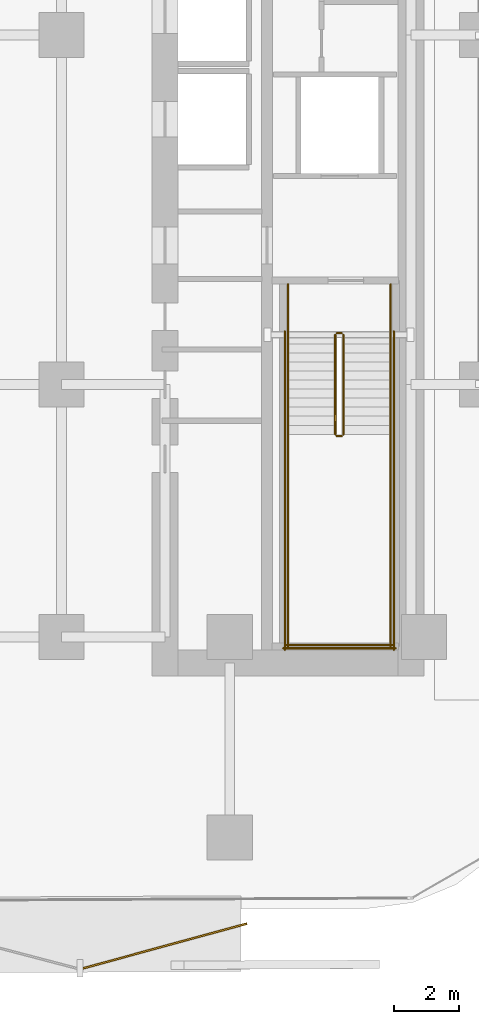
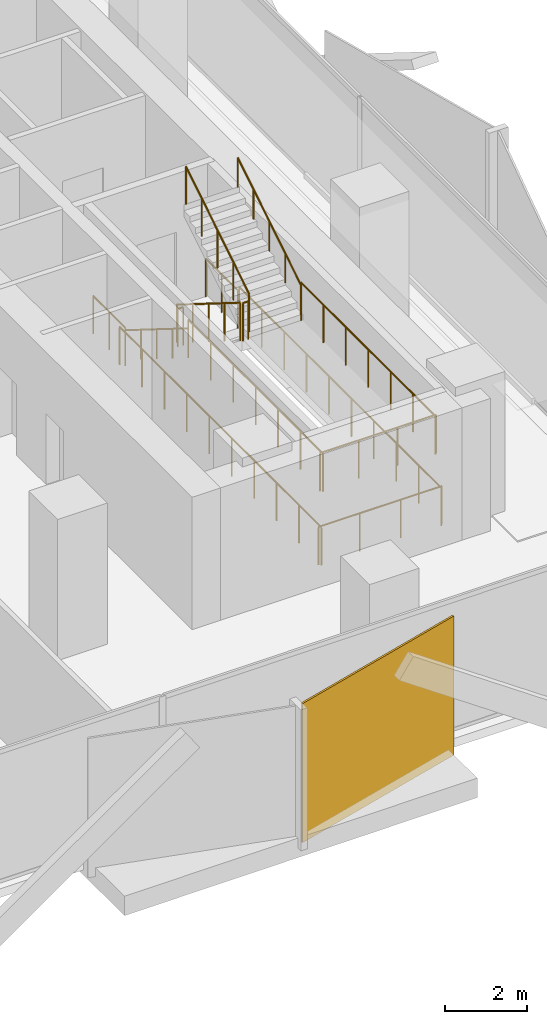
# One storey, part 13 of 16: 14 railings, 1 covering.
"""IFC4 building model written with IfcOpenShell, lengths in metres."""

from ifc_helpers import new_model, si_unit, direction, frame, origin, origin_2d, place, context, subcontext, project, spatial, rectangle, circle, extrude, material, layer, layer_set, type_object, element, save


model = new_model("IFC4")

# Units and contexts
model_context = context("Model", 3, precision=1e-05, world=origin(), true_north=direction((0.0, 1.0)))
body_context = subcontext(model_context, "Body", "Model", "MODEL_VIEW")
ifc_project = project(units=[si_unit("LENGTHUNIT", "METRE"), si_unit("AREAUNIT", "SQUARE_METRE"), si_unit("VOLUMEUNIT", "CUBIC_METRE"), si_unit("PLANEANGLEUNIT", "RADIAN"), si_unit("MASSUNIT", "GRAM", prefix="KILO")], contexts=[model_context])

# Site, building, storey
site_placement = place(None, origin())
site = spatial("IfcSite", under=ifc_project, at=site_placement, CompositionType="ELEMENT")
building_placement = place(site_placement, origin())
building = spatial("IfcBuilding", under=site, at=building_placement, Name="Khairoan Windgate Tower", CompositionType="ELEMENT")
storey_placement = place(building_placement, frame((0.0, 0.0, 26.0)))
storey = spatial("IfcBuildingStorey", under=building, at=storey_placement, Name="L06", CompositionType="ELEMENT", Elevation=26.0)

# Covering
ifc_material_1 = material(Name="Anodised Bronze Aluminium 6063-T6", Category="aluminium")
ifc_layer = layer(ifc_material_1, 0.054931640625, Name="Anodised Bronze Aluminium 6063-T6")
ifc_layer_set = layer_set([ifc_layer], Name="Anodised Bronze Aluminium 6063-T6")
covering_type = type_object("IfcCoveringType", Name="Perforated Bronze-Ceramic Folded Solar Screen Cladding BSC-1", PredefinedType="CLADDING", material=ifc_layer_set)
covering_placement = place(storey_placement, frame((12.39453125, -28.150390625, -0.10009765625), z_axis=(0.0, 0.0, 1.0), x_axis=(-0.964649468762, -0.263536339841, 0.0)))
element("IfcCovering", 1, at=covering_placement, inside=storey, type_object=covering_type, Name="L06 Folded Bronze Solar Screen Facet 1L", PredefinedType="CLADDING", context=body_context, shape_type="SweptSolid", body=[
    extrude(rectangle(XDim=5.25, YDim=0.054931640625, at=origin_2d()), origin(), (0.0, 0.0, 1.0), 4.139892578125),
])

# Railings
ifc_material_2 = material(Name="Anodised Bronze Aluminium 6063-T6", Category="aluminium")
railing_type_1 = type_object("IfcRailingType", Name="Stair Wall Handrail SHR-900", PredefinedType="HANDRAIL", material=ifc_material_2)
railing_1_placement = place(storey_placement, frame((16.199951171875, -9.260009765625, 0.175048828125)))
element("IfcRailing", 2, at=railing_1_placement, inside=storey, type_object=railing_type_1, Name="L06 ST1 stair handrail 1", PredefinedType="HANDRAIL", context=body_context, shape_type="SweptSolid", body=[
    extrude(circle(Radius=0.02392578125, at=origin_2d()), frame((0.0, 0.0, 0.8759765625), z_axis=(0.0, -0.847998304005, 0.529998940003), x_axis=(1.0, 0.0, 0.0)), (0.0, 0.0, 1.0), 3.632080078125),
    extrude(circle(Radius=0.02099609375, at=origin_2d()), origin(), (0.0, 0.0, 1.0), 0.851806640625),
    extrude(circle(Radius=0.02099609375, at=origin_2d()), frame((0.0, -0.77001953125, 0.481201171875)), (0.0, 0.0, 1.0), 0.851806640625),
    extrude(circle(Radius=0.02099609375, at=origin_2d()), frame((0.0, -1.5400390625, 0.96240234375)), (0.0, 0.0, 1.0), 0.851806640625),
    extrude(circle(Radius=0.02099609375, at=origin_2d()), frame((0.0, -2.31005859375, 1.44384765625)), (0.0, 0.0, 1.0), 0.851806640625),
    extrude(circle(Radius=0.02099609375, at=origin_2d()), frame((0.0, -3.080078125, 1.925048828125)), (0.0, 0.0, 1.0), 0.851806640625),
])
railing_2_placement = place(storey_placement, frame((19.3701171875, -12.340087890625, 2.27490234375)))
element("IfcRailing", 3, at=railing_2_placement, inside=storey, type_object=railing_type_1, Name="L06 ST1 stair handrail 2", PredefinedType="HANDRAIL", context=body_context, shape_type="SweptSolid", body=[
    extrude(circle(Radius=0.02392578125, at=origin_2d()), frame((0.0, 0.0, 0.8759765625), z_axis=(0.0, 0.847998304005, 0.529998940003), x_axis=(-1.0, 0.0, 0.0)), (0.0, 0.0, 1.0), 3.632080078125),
    extrude(circle(Radius=0.02099609375, at=origin_2d()), origin(), (0.0, 0.0, 1.0), 0.851806640625),
    extrude(circle(Radius=0.02099609375, at=origin_2d()), frame((0.0, 0.77001953125, 0.481201171875)), (0.0, 0.0, 1.0), 0.851806640625),
    extrude(circle(Radius=0.02099609375, at=origin_2d()), frame((0.0, 1.5400390625, 0.96240234375)), (0.0, 0.0, 1.0), 0.851806640625),
    extrude(circle(Radius=0.02099609375, at=origin_2d()), frame((0.0, 2.31005859375, 1.44384765625)), (0.0, 0.0, 1.0), 0.851806640625),
    extrude(circle(Radius=0.02099609375, at=origin_2d()), frame((0.0, 3.080078125, 1.925048828125)), (0.0, 0.0, 1.0), 0.851806640625),
])
ifc_material_3 = material(Name="Steel S355", Category="steel")
railing_type_2 = type_object("IfcRailingType", Name="Stairwell Safety Guardrail SGR-1150", PredefinedType="GUARDRAIL", material=ifc_material_3)
railing_3_placement = place(storey_placement, frame((17.659912109375, -9.260009765625, 0.175048828125)))
element("IfcRailing", 4, at=railing_3_placement, inside=storey, type_object=railing_type_2, Name="L06 ST1 stair guard 1", PredefinedType="GUARDRAIL", context=body_context, shape_type="SweptSolid", body=[
    extrude(circle(Radius=0.02392578125, at=origin_2d()), frame((0.0, 0.0, 1.1259765625), z_axis=(0.0, -0.847998304005, 0.529998940003), x_axis=(1.0, 0.0, 0.0)), (0.0, 0.0, 1.0), 3.632080078125),
    extrude(circle(Radius=0.02099609375, at=origin_2d()), origin(), (0.0, 0.0, 1.0), 1.101806640625),
    extrude(circle(Radius=0.02099609375, at=origin_2d()), frame((0.0, -0.77001953125, 0.481201171875)), (0.0, 0.0, 1.0), 1.101806640625),
    extrude(circle(Radius=0.02099609375, at=origin_2d()), frame((0.0, -1.5400390625, 0.96240234375)), (0.0, 0.0, 1.0), 1.101806640625),
    extrude(circle(Radius=0.02099609375, at=origin_2d()), frame((0.0, -2.31005859375, 1.44384765625)), (0.0, 0.0, 1.0), 1.101806640625),
    extrude(circle(Radius=0.02099609375, at=origin_2d()), frame((0.0, -3.080078125, 1.925048828125)), (0.0, 0.0, 1.0), 1.101806640625),
])
railing_4_placement = place(storey_placement, frame((17.7099609375, -12.389892578125, 2.10009765625)))
element("IfcRailing", 5, at=railing_4_placement, inside=storey, type_object=railing_type_2, Name="L06 ST1 stair guard 2", PredefinedType="GUARDRAIL", context=body_context, shape_type="SweptSolid", body=[
    extrude(circle(Radius=0.02392578125, at=origin_2d()), frame((0.0, 0.0, 1.1259765625), z_axis=(1.0, 0.0, 0.0), x_axis=(0.0, 1.0, 0.0)), (0.0, 0.0, 1.0), 0.150146484375),
    extrude(circle(Radius=0.02099609375, at=origin_2d()), origin(), (0.0, 0.0, 1.0), 1.101806640625),
    extrude(circle(Radius=0.02099609375, at=origin_2d()), frame((0.150146484375, 0.0, 0.0)), (0.0, 0.0, 1.0), 1.101806640625),
])
for number, where, name in (
    (6, (16.199951171875, -12.340087890625, 2.10009765625), "L06 ST1 stair guard 3"),
    (7, (19.3701171875, -12.340087890625, 2.10009765625), "L06 ST1 stair guard 4"),
):
    element("IfcRailing", number, at=place(storey_placement, frame(where)), inside=storey, type_object=railing_type_2, Name=name, PredefinedType="GUARDRAIL", context=body_context, shape_type="SweptSolid", body=[
        extrude(circle(Radius=0.02392578125, at=origin_2d()), frame((0.0, 0.0, 1.1259765625), z_axis=(0.0, -1.0, 0.0), x_axis=(1.0, 0.0, 0.0)), (0.0, 0.0, 1.0), 6.559814453125),
        extrude(circle(Radius=0.02099609375, at=origin_2d()), origin(), (0.0, 0.0, 1.0), 1.101806640625),
        extrude(circle(Radius=0.02099609375, at=origin_2d()), frame((0.0, -1.09326171875, 0.0)), (0.0, 0.0, 1.0), 1.101806640625),
        extrude(circle(Radius=0.02099609375, at=origin_2d()), frame((0.0, -2.1865234375, 0.0)), (0.0, 0.0, 1.0), 1.101806640625),
        extrude(circle(Radius=0.02099609375, at=origin_2d()), frame((0.0, -3.27978515625, 0.0)), (0.0, 0.0, 1.0), 1.101806640625),
        extrude(circle(Radius=0.02099609375, at=origin_2d()), frame((0.0, -4.373291015625, 0.0)), (0.0, 0.0, 1.0), 1.101806640625),
        extrude(circle(Radius=0.02099609375, at=origin_2d()), frame((0.0, -5.466552734375, 0.0)), (0.0, 0.0, 1.0), 1.101806640625),
        extrude(circle(Radius=0.02099609375, at=origin_2d()), frame((0.0, -6.559814453125, 0.0)), (0.0, 0.0, 1.0), 1.101806640625),
    ])
railing_5_placement = place(storey_placement, frame((16.14990234375, -18.85009765625, 2.10009765625)))
element("IfcRailing", 8, at=railing_5_placement, inside=storey, type_object=railing_type_2, Name="L06 ST1 stair guard 5", PredefinedType="GUARDRAIL", context=body_context, shape_type="SweptSolid", body=[
    extrude(circle(Radius=0.02392578125, at=origin_2d()), frame((0.0, 0.0, 1.1259765625), z_axis=(1.0, 0.0, 0.0), x_axis=(0.0, 1.0, 0.0)), (0.0, 0.0, 1.0), 3.27001953125),
    extrude(circle(Radius=0.02099609375, at=origin_2d()), origin(), (0.0, 0.0, 1.0), 1.101806640625),
    extrude(circle(Radius=0.02099609375, at=origin_2d()), frame((1.090087890625, 0.0, 0.0)), (0.0, 0.0, 1.0), 1.101806640625),
    extrude(circle(Radius=0.02099609375, at=origin_2d()), frame((2.179931640625, 0.0, 0.0)), (0.0, 0.0, 1.0), 1.101806640625),
    extrude(circle(Radius=0.02099609375, at=origin_2d()), frame((3.27001953125, 0.0, 0.0)), (0.0, 0.0, 1.0), 1.101806640625),
])
railing_6_placement = place(storey_placement, frame((17.909912109375, -12.340087890625, 2.27490234375)))
element("IfcRailing", 9, at=railing_6_placement, inside=storey, type_object=railing_type_2, Name="L06 ST1 stair guard 6", PredefinedType="GUARDRAIL", context=body_context, shape_type="SweptSolid", body=[
    extrude(circle(Radius=0.02392578125, at=origin_2d()), frame((0.0, 0.0, 1.1259765625), z_axis=(0.0, 0.847998304005, 0.529998940003), x_axis=(-1.0, 0.0, 0.0)), (0.0, 0.0, 1.0), 3.632080078125),
    extrude(circle(Radius=0.02099609375, at=origin_2d()), origin(), (0.0, 0.0, 1.0), 1.101806640625),
    extrude(circle(Radius=0.02099609375, at=origin_2d()), frame((0.0, 0.77001953125, 0.481201171875)), (0.0, 0.0, 1.0), 1.101806640625),
    extrude(circle(Radius=0.02099609375, at=origin_2d()), frame((0.0, 1.5400390625, 0.96240234375)), (0.0, 0.0, 1.0), 1.101806640625),
    extrude(circle(Radius=0.02099609375, at=origin_2d()), frame((0.0, 2.31005859375, 1.44384765625)), (0.0, 0.0, 1.0), 1.101806640625),
    extrude(circle(Radius=0.02099609375, at=origin_2d()), frame((0.0, 3.080078125, 1.925048828125)), (0.0, 0.0, 1.0), 1.101806640625),
])
railing_7_placement = place(storey_placement, frame((17.7099609375, -9.2099609375, 0.0)))
element("IfcRailing", 10, at=railing_7_placement, inside=storey, type_object=railing_type_2, Name="L06 ST1 stair guard 7", PredefinedType="GUARDRAIL", context=body_context, shape_type="SweptSolid", body=[
    extrude(circle(Radius=0.02392578125, at=origin_2d()), frame((0.0, 0.0, 1.1259765625), z_axis=(1.0, 0.0, 0.0), x_axis=(0.0, 1.0, 0.0)), (0.0, 0.0, 1.0), 0.150146484375),
    extrude(circle(Radius=0.02099609375, at=origin_2d()), origin(), (0.0, 0.0, 1.0), 1.101806640625),
    extrude(circle(Radius=0.02099609375, at=origin_2d()), frame((0.150146484375, 0.0, 0.0)), (0.0, 0.0, 1.0), 1.101806640625),
])
for number, where, name in (
    (11, (16.199951171875, -7.699951171875, 0.0), "L06 ST1 stair guard 8"),
    (12, (19.3701171875, -7.699951171875, 0.0), "L06 ST1 stair guard 9"),
):
    element("IfcRailing", number, at=place(storey_placement, frame(where)), inside=storey, type_object=railing_type_2, Name=name, PredefinedType="GUARDRAIL", context=body_context, shape_type="SweptSolid", body=[
        extrude(circle(Radius=0.02392578125, at=origin_2d()), frame((0.0, 0.0, 1.1259765625), z_axis=(0.0, -1.0, 0.0), x_axis=(1.0, 0.0, 0.0)), (0.0, 0.0, 1.0), 1.56005859375),
        extrude(circle(Radius=0.02099609375, at=origin_2d()), origin(), (0.0, 0.0, 1.0), 1.101806640625),
        extrude(circle(Radius=0.02099609375, at=origin_2d()), frame((0.0, -0.780029296875, 0.0)), (0.0, 0.0, 1.0), 1.101806640625),
        extrude(circle(Radius=0.02099609375, at=origin_2d()), frame((0.0, -1.56005859375, 0.0)), (0.0, 0.0, 1.0), 1.101806640625),
    ])
for number, where, name in (
    (13, (16.10009765625, -9.159912109375, 0.0), "L06 ST1 stair guard 10"),
    (14, (19.469970703125, -9.159912109375, 0.0), "L06 ST1 stair guard 11"),
):
    element("IfcRailing", number, at=place(storey_placement, frame(where)), inside=storey, type_object=railing_type_2, Name=name, PredefinedType="GUARDRAIL", context=body_context, shape_type="SweptSolid", body=[
        extrude(circle(Radius=0.02392578125, at=origin_2d()), frame((0.0, 0.0, 1.1259765625), z_axis=(0.0, -1.0, 0.0), x_axis=(1.0, 0.0, 0.0)), (0.0, 0.0, 1.0), 9.840087890625),
        extrude(circle(Radius=0.02099609375, at=origin_2d()), origin(), (0.0, 0.0, 1.0), 1.101806640625),
        extrude(circle(Radius=0.02099609375, at=origin_2d()), frame((0.0, -1.09326171875, 0.0)), (0.0, 0.0, 1.0), 1.101806640625),
        extrude(circle(Radius=0.02099609375, at=origin_2d()), frame((0.0, -2.186767578125, 0.0)), (0.0, 0.0, 1.0), 1.101806640625),
        extrude(circle(Radius=0.02099609375, at=origin_2d()), frame((0.0, -3.280029296875, 0.0)), (0.0, 0.0, 1.0), 1.101806640625),
        extrude(circle(Radius=0.02099609375, at=origin_2d()), frame((0.0, -4.373291015625, 0.0)), (0.0, 0.0, 1.0), 1.101806640625),
        extrude(circle(Radius=0.02099609375, at=origin_2d()), frame((0.0, -5.466796875, 0.0)), (0.0, 0.0, 1.0), 1.101806640625),
        extrude(circle(Radius=0.02099609375, at=origin_2d()), frame((0.0, -6.56005859375, 0.0)), (0.0, 0.0, 1.0), 1.101806640625),
        extrude(circle(Radius=0.02099609375, at=origin_2d()), frame((0.0, -7.6533203125, 0.0)), (0.0, 0.0, 1.0), 1.101806640625),
        extrude(circle(Radius=0.02099609375, at=origin_2d()), frame((0.0, -8.746826171875, 0.0)), (0.0, 0.0, 1.0), 1.101806640625),
        extrude(circle(Radius=0.02099609375, at=origin_2d()), frame((0.0, -9.840087890625, 0.0)), (0.0, 0.0, 1.0), 1.101806640625),
    ])
railing_8_placement = place(storey_placement, frame((16.050048828125, -18.949951171875, 0.0)))
element("IfcRailing", 15, at=railing_8_placement, inside=storey, type_object=railing_type_2, Name="L06 ST1 stair guard 12", PredefinedType="GUARDRAIL", context=body_context, shape_type="SweptSolid", body=[
    extrude(circle(Radius=0.02392578125, at=origin_2d()), frame((0.0, 0.0, 1.1259765625), z_axis=(1.0, 0.0, 0.0), x_axis=(0.0, 1.0, 0.0)), (0.0, 0.0, 1.0), 3.469970703125),
    extrude(circle(Radius=0.02099609375, at=origin_2d()), origin(), (0.0, 0.0, 1.0), 1.101806640625),
    extrude(circle(Radius=0.02099609375, at=origin_2d()), frame((1.15673828125, 0.0, 0.0)), (0.0, 0.0, 1.0), 1.101806640625),
    extrude(circle(Radius=0.02099609375, at=origin_2d()), frame((2.313232421875, 0.0, 0.0)), (0.0, 0.0, 1.0), 1.101806640625),
    extrude(circle(Radius=0.02099609375, at=origin_2d()), frame((3.469970703125, 0.0, 0.0)), (0.0, 0.0, 1.0), 1.101806640625),
])

save(model, "model.ifc")
